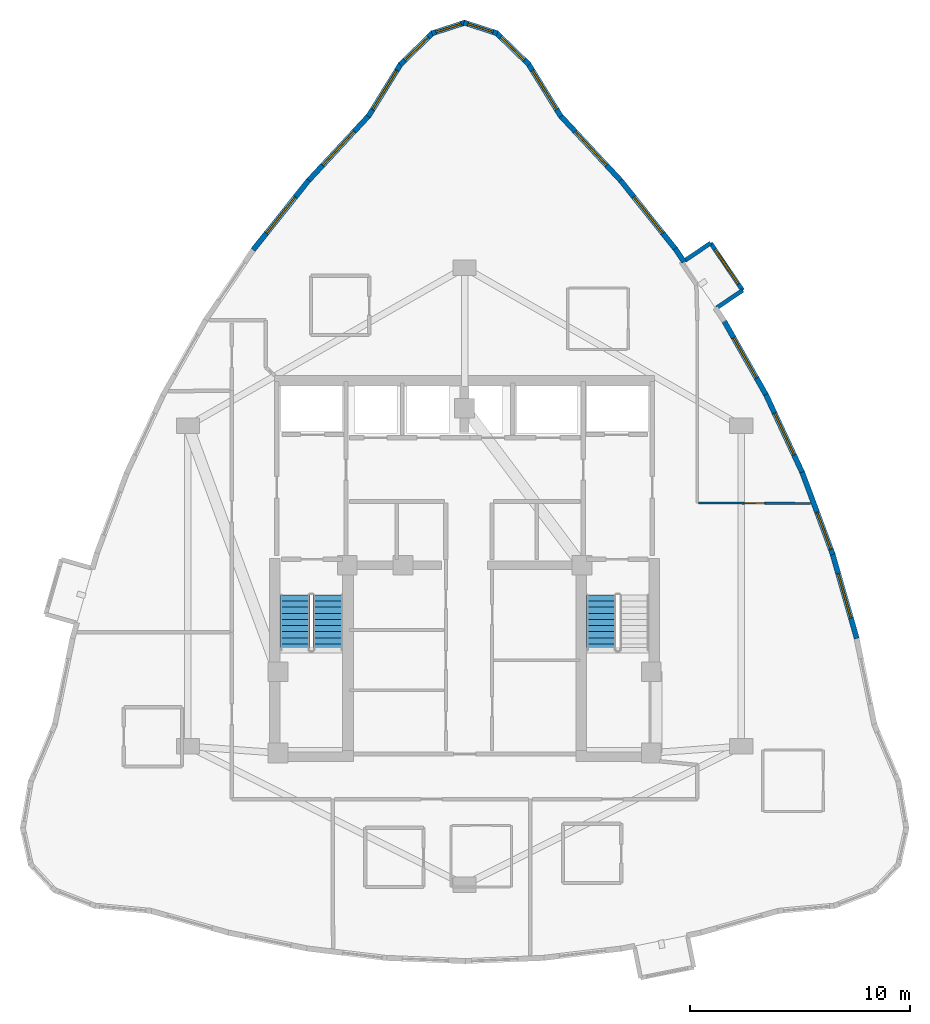
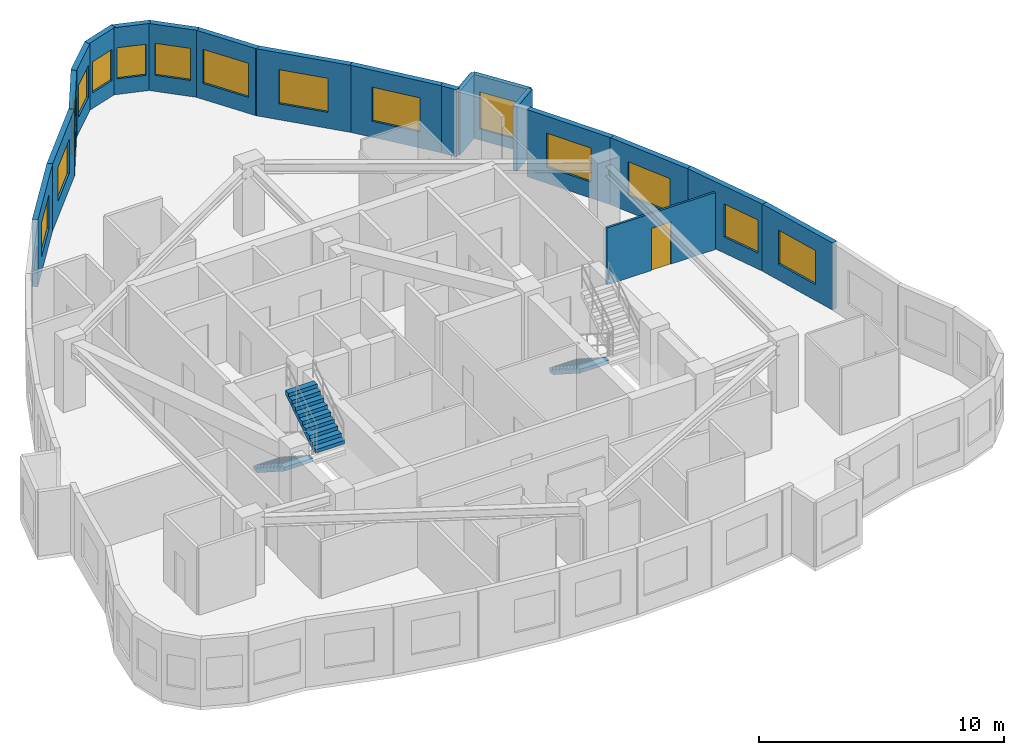
# One storey, part 7 of 9: 19 walls, 15 windows, 3 stair flights, 1 door, 16 openings, 2 elements without a shape of their own.
"""IFC4 building model written with IfcOpenShell, lengths in metres."""

from ifc_helpers import new_model, si_unit, direction, frame, frame_2d, origin, place, context, subcontext, project, spatial, polyline, rectangle, outline, extrude, material, layer, layer_set, type_object, element, fill, aggregate, save


model = new_model("IFC4")

# Units and contexts
model_context = context("Model", 3, precision=1e-05, world=origin(), true_north=direction((0.0, 1.0)))
body_context = subcontext(model_context, "Body", "Model", "MODEL_VIEW")
ifc_project = project(units=[si_unit("LENGTHUNIT", "METRE"), si_unit("AREAUNIT", "SQUARE_METRE"), si_unit("VOLUMEUNIT", "CUBIC_METRE"), si_unit("PLANEANGLEUNIT", "RADIAN"), si_unit("MASSUNIT", "GRAM", prefix="KILO")], contexts=[model_context])

# Site, building, storey
site_placement = place(None, origin())
site = spatial("IfcSite", under=ifc_project, at=site_placement, CompositionType="ELEMENT")
building_placement = place(site_placement, origin())
building = spatial("IfcBuilding", under=site, at=building_placement, Name="Miruveldt Soraemaru", CompositionType="ELEMENT")
storey_placement = place(building_placement, frame((0.0, 0.0, 194.39990234375)))
storey = spatial("IfcBuildingStorey", under=building, at=storey_placement, Name="L53", CompositionType="ELEMENT", Elevation=194.39990234375)

# Walls
ifc_material_1 = material(Name="White powder-coated aluminium EN AW-6060 T6", Category="aluminium")
ifc_layer_1 = layer(ifc_material_1, 0.18994140625, Name="White powder-coated aluminium EN AW-6060 T6", Category="aluminium")
ifc_layer_set_1 = layer_set([ifc_layer_1], Name="White powder-coated aluminium EN AW-6060 T6")
wall_type_1 = type_object("IfcWallType", Name="WALL-BAY-ALU190", PredefinedType="SOLIDWALL", material=ifc_layer_set_1)
for number, where, z_axis, x_axis, name in (
    (1, (55.48388671875, 55.76953125, 0.0), (0.0, 0.0, 1.0), (0.827916124573, 0.56085193293, 0.0), "L53 Bay Window Side Cheek 3L"),
    (2, (55.20556640625, 58.721435546875, 0.0), (0.0, 0.0, 1.0), (-0.827916124573, -0.56085193293, 0.0), "L53 Bay Window Side Cheek 3R"),
):
    element("IfcWall", number, at=place(storey_placement, frame(where, z_axis=z_axis, x_axis=x_axis)), inside=storey, type_object=wall_type_1, Name=name, PredefinedType="SOLIDWALL", context=body_context, shape_type="SweptSolid", body=[
        extrude(rectangle(XDim=1.42529296875, YDim=0.18994140625, at=frame_2d((0.712646484375, 0.0))), origin(), (0.0, 0.0, 1.0), 3.195068359375),
    ])

# Wall, opening, window
wall_1_placement = place(storey_placement, frame((56.663818359375, 56.56884765625, 0.0), z_axis=(0.0, 0.0, 1.0), x_axis=(-0.560860602504, 0.827910251512, 0.0)))
wall_1 = element("IfcWall", 3, at=wall_1_placement, inside=storey, type_object=wall_type_1, Name="L53 Bay Window Front Frame 3", PredefinedType="SOLIDWALL", context=body_context, shape_type="SweptSolid", body=[
    extrude(rectangle(XDim=2.60009765625, YDim=0.18994140625, at=frame_2d((1.300048828125, 0.0))), origin(), (0.0, 0.0, 1.0), 3.195068359375),
])
opening_1_placement = place(wall_1_placement, frame((0.35009765625, 0.0, 0.550048828125)))
opening_1 = element("IfcOpeningElement", 4, at=opening_1_placement, cuts=wall_1, Name="Opening WN-6", PredefinedType="OPENING", context=body_context, shape_type="SweptSolid", body=[
    extrude(rectangle(XDim=1.89990234375, YDim=1.85009765625, at=frame_2d((0.949951171875, 0.925048828125))), frame((0.0, 0.10498046875, 0.0), z_axis=(0.0, -1.0, 0.0), x_axis=(1.0, 0.0, 0.0)), (0.0, 0.0, 1.0), 0.2099609375),
])
ifc_material_2 = material(Name="Triple low-e insulated glazing", Category="glass")
window_type_1 = type_object("IfcWindowType", Name="WIN-BAYW-1900x1850", PartitioningType="SINGLE_PANEL", PredefinedType="WINDOW", material=ifc_material_2)
window_1_placement = place(opening_1_placement, origin())
window_1 = element("IfcWindow", 5, at=window_1_placement, inside=storey, type_object=window_type_1, Name="L53 Projecting Bay Window 3", OverallHeight=1.85009765625, OverallWidth=1.89990234375, PartitioningType="SINGLE_PANEL", PredefinedType="WINDOW", context=body_context, shape_type="SweptSolid", body=[
    extrude(rectangle(XDim=1.89990234375, YDim=1.85009765625, at=frame_2d((0.949951171875, 0.925048828125))), frame((0.0, 0.030029296875, 0.0), z_axis=(0.0, -1.0, 0.0), x_axis=(1.0, 0.0, 0.0)), (0.0, 0.0, 1.0), 0.06005859375),
])
fill(opening_1, window_1)

ifc_material_3 = material(Name="Precast concrete C45/55 (45 MPa)", Category="concrete")
ifc_layer_2 = layer(ifc_material_3, 0.239990234375, Name="Precast concrete C45/55 (45 MPa)", Category="concrete")
ifc_layer_set_2 = layer_set([ifc_layer_2], Name="Precast concrete C45/55 (45 MPa)")
wall_type_2 = type_object("IfcWallType", Name="WALL-EXT-PC240", PredefinedType="SOLIDWALL", material=ifc_layer_set_2)
wall_2_placement = place(storey_placement, frame((48.385986328125, 64.489501953125, 0.0), z_axis=(0.0, 0.0, 1.0), x_axis=(-0.526064296044, 0.850444799166, 0.0)))
wall_2 = element("IfcWall", 6, at=wall_2_placement, inside=storey, type_object=wall_type_2, Name="L53 Precast Concrete Facade Wall 1", PredefinedType="SOLIDWALL", context=body_context, shape_type="SweptSolid", body=[
    extrude(rectangle(XDim=2.83740234375, YDim=0.239990234375, at=frame_2d((1.418701171875, 0.0))), origin(), (0.0, 0.0, 1.0), 3.34521484375),
])
opening_2_placement = place(wall_2_placement, frame((0.368896484375, 0.0, 0.800048828125)))
opening_2 = element("IfcOpeningElement", 7, at=opening_2_placement, cuts=wall_2, Name="Opening WN-1", PredefinedType="OPENING", context=body_context, shape_type="SweptSolid", body=[
    extrude(rectangle(XDim=2.10009765625, YDim=1.699951171875, at=frame_2d((1.050048828125, 0.85009765625))), frame((0.0, 0.1298828125, 0.0), z_axis=(0.0, -1.0, 0.0), x_axis=(1.0, 0.0, 0.0)), (0.0, 0.0, 1.0), 0.260009765625),
])
window_type_2 = type_object("IfcWindowType", Name="WIN-PUNCH-2100x1700", PartitioningType="SINGLE_PANEL", PredefinedType="WINDOW", material=ifc_material_2)
window_2_placement = place(opening_2_placement, origin())
window_2 = element("IfcWindow", 8, at=window_2_placement, inside=storey, type_object=window_type_2, Name="L53 Punched Triple-Glazed Window 01.1", OverallHeight=1.699951171875, OverallWidth=2.10009765625, PartitioningType="SINGLE_PANEL", PredefinedType="WINDOW", context=body_context, shape_type="SweptSolid", body=[
    extrude(rectangle(XDim=2.10009765625, YDim=1.699951171875, at=frame_2d((1.050048828125, 0.85009765625))), frame((0.0, 0.030029296875, 0.0), z_axis=(0.0, -1.0, 0.0), x_axis=(1.0, 0.0, 0.0)), (0.0, 0.0, 1.0), 0.06005859375),
])
fill(opening_2, window_2)

wall_3_placement = place(storey_placement, frame((46.93701171875, 66.848388671875, 0.0), z_axis=(0.0, 0.0, 1.0), x_axis=(-0.717787609341, 0.696262125838, 0.0)))
wall_3 = element("IfcWall", 9, at=wall_3_placement, inside=storey, type_object=wall_type_2, Name="L53 Precast Concrete Facade Wall 2", PredefinedType="SOLIDWALL", context=body_context, shape_type="SweptSolid", body=[
    extrude(rectangle(XDim=2.09814453125, YDim=0.239990234375, at=frame_2d((1.049072265625, 0.0))), origin(), (0.0, 0.0, 1.0), 3.34521484375),
])
opening_3_placement = place(wall_3_placement, frame((0.299072265625, 0.0, 0.800048828125)))
opening_3 = element("IfcOpeningElement", 10, at=opening_3_placement, cuts=wall_3, Name="Opening WN-3", PredefinedType="OPENING", context=body_context, shape_type="SweptSolid", body=[
    extrude(rectangle(XDim=1.5, YDim=1.60009765625, at=frame_2d((0.75, 0.800048828125))), frame((0.0, 0.1298828125, 0.0), z_axis=(0.0, -1.0, 0.0), x_axis=(1.0, 0.0, 0.0)), (0.0, 0.0, 1.0), 0.260009765625),
])
window_type_3 = type_object("IfcWindowType", Name="WIN-PUNCH-1500x1600", PartitioningType="SINGLE_PANEL", PredefinedType="WINDOW", material=ifc_material_2)
window_3_placement = place(opening_3_placement, origin())
window_3 = element("IfcWindow", 11, at=window_3_placement, inside=storey, type_object=window_type_3, Name="L53 Punched Triple-Glazed Window 02.1", OverallHeight=1.60009765625, OverallWidth=1.5, PartitioningType="SINGLE_PANEL", PredefinedType="WINDOW", context=body_context, shape_type="SweptSolid", body=[
    extrude(rectangle(XDim=1.5, YDim=1.60009765625, at=frame_2d((0.75, 0.800048828125))), frame((0.0, 0.030029296875, 0.0), z_axis=(0.0, -1.0, 0.0), x_axis=(1.0, 0.0, 0.0)), (0.0, 0.0, 1.0), 0.06005859375),
])
fill(opening_3, window_3)

wall_4_placement = place(storey_placement, frame((45.4892578125, 68.274169921875, 0.0), z_axis=(0.0, 0.0, 1.0), x_axis=(-0.951512841193, 0.307609026274, 0.0)))
wall_4 = element("IfcWall", 12, at=wall_4_placement, inside=storey, type_object=wall_type_2, Name="L53 Precast Concrete Facade Wall 3", PredefinedType="SOLIDWALL", context=body_context, shape_type="SweptSolid", body=[
    extrude(rectangle(XDim=1.60009765625, YDim=0.239990234375, at=frame_2d((0.800048828125, 0.0))), origin(), (0.0, 0.0, 1.0), 3.34521484375),
])
opening_4_placement = place(wall_4_placement, frame((0.199951171875, 0.0, 0.780029296875)))
opening_4 = element("IfcOpeningElement", 13, at=opening_4_placement, cuts=wall_4, Name="Opening WN-4", PredefinedType="OPENING", context=body_context, shape_type="SweptSolid", body=[
    extrude(rectangle(XDim=1.199951171875, YDim=1.550048828125, at=frame_2d((0.60009765625, 0.77490234375))), frame((0.0, 0.1298828125, 0.0), z_axis=(0.0, -1.0, 0.0), x_axis=(1.0, 0.0, 0.0)), (0.0, 0.0, 1.0), 0.260009765625),
])
window_type_4 = type_object("IfcWindowType", Name="WIN-PUNCH-1200x1550", PartitioningType="SINGLE_PANEL", PredefinedType="WINDOW", material=ifc_material_2)
window_4_placement = place(opening_4_placement, origin())
window_4 = element("IfcWindow", 14, at=window_4_placement, inside=storey, type_object=window_type_4, Name="L53 Punched Triple-Glazed Window 03.1", OverallHeight=1.550048828125, OverallWidth=1.199951171875, PartitioningType="SINGLE_PANEL", PredefinedType="WINDOW", context=body_context, shape_type="SweptSolid", body=[
    extrude(rectangle(XDim=1.199951171875, YDim=1.550048828125, at=frame_2d((0.60009765625, 0.77490234375))), frame((0.0, 0.030029296875, 0.0), z_axis=(0.0, -1.0, 0.0), x_axis=(1.0, 0.0, 0.0)), (0.0, 0.0, 1.0), 0.06005859375),
])
fill(opening_4, window_4)

wall_5_placement = place(storey_placement, frame((44.033203125, 68.766357421875, 0.0), z_axis=(0.0, 0.0, 1.0), x_axis=(-0.951512841193, -0.307609026274, 0.0)))
wall_5 = element("IfcWall", 15, at=wall_5_placement, inside=storey, type_object=wall_type_2, Name="L53 Precast Concrete Facade Wall 4", PredefinedType="SOLIDWALL", context=body_context, shape_type="SweptSolid", body=[
    extrude(rectangle(XDim=1.60009765625, YDim=0.239990234375, at=frame_2d((0.800048828125, 0.0))), origin(), (0.0, 0.0, 1.0), 3.34521484375),
])
opening_5_placement = place(wall_5_placement, frame((0.199951171875, 0.0, 0.780029296875)))
opening_5 = element("IfcOpeningElement", 16, at=opening_5_placement, cuts=wall_5, Name="Opening WN-4", PredefinedType="OPENING", context=body_context, shape_type="SweptSolid", body=[
    extrude(rectangle(XDim=1.199951171875, YDim=1.550048828125, at=frame_2d((0.60009765625, 0.77490234375))), frame((0.0, 0.1298828125, 0.0), z_axis=(0.0, -1.0, 0.0), x_axis=(1.0, 0.0, 0.0)), (0.0, 0.0, 1.0), 0.260009765625),
])
window_5_placement = place(opening_5_placement, origin())
window_5 = element("IfcWindow", 17, at=window_5_placement, inside=storey, type_object=window_type_4, Name="L53 Punched Triple-Glazed Window 04.1", OverallHeight=1.550048828125, OverallWidth=1.199951171875, PartitioningType="SINGLE_PANEL", PredefinedType="WINDOW", context=body_context, shape_type="SweptSolid", body=[
    extrude(rectangle(XDim=1.199951171875, YDim=1.550048828125, at=frame_2d((0.60009765625, 0.77490234375))), frame((0.0, 0.030029296875, 0.0), z_axis=(0.0, -1.0, 0.0), x_axis=(1.0, 0.0, 0.0)), (0.0, 0.0, 1.0), 0.06005859375),
])
fill(opening_5, window_5)

wall_6_placement = place(storey_placement, frame((42.569091796875, 68.309326171875, 0.0), z_axis=(0.0, 0.0, 1.0), x_axis=(-0.717787609341, -0.696262125838, 0.0)))
wall_6 = element("IfcWall", 18, at=wall_6_placement, inside=storey, type_object=wall_type_2, Name="L53 Precast Concrete Facade Wall 5", PredefinedType="SOLIDWALL", context=body_context, shape_type="SweptSolid", body=[
    extrude(rectangle(XDim=2.09814453125, YDim=0.239990234375, at=frame_2d((1.049072265625, 0.0))), origin(), (0.0, 0.0, 1.0), 3.34521484375),
])
opening_6_placement = place(wall_6_placement, frame((0.299072265625, 0.0, 0.800048828125)))
opening_6 = element("IfcOpeningElement", 19, at=opening_6_placement, cuts=wall_6, Name="Opening WN-3", PredefinedType="OPENING", context=body_context, shape_type="SweptSolid", body=[
    extrude(rectangle(XDim=1.5, YDim=1.60009765625, at=frame_2d((0.75, 0.800048828125))), frame((0.0, 0.1298828125, 0.0), z_axis=(0.0, -1.0, 0.0), x_axis=(1.0, 0.0, 0.0)), (0.0, 0.0, 1.0), 0.260009765625),
])
window_6_placement = place(opening_6_placement, origin())
window_6 = element("IfcWindow", 20, at=window_6_placement, inside=storey, type_object=window_type_3, Name="L53 Punched Triple-Glazed Window 05.1", OverallHeight=1.60009765625, OverallWidth=1.5, PartitioningType="SINGLE_PANEL", PredefinedType="WINDOW", context=body_context, shape_type="SweptSolid", body=[
    extrude(rectangle(XDim=1.5, YDim=1.60009765625, at=frame_2d((0.75, 0.800048828125))), frame((0.0, 0.030029296875, 0.0), z_axis=(0.0, -1.0, 0.0), x_axis=(1.0, 0.0, 0.0)), (0.0, 0.0, 1.0), 0.06005859375),
])
fill(opening_6, window_6)

wall_7_placement = place(storey_placement, frame((41.106689453125, 66.902587890625, 0.0), z_axis=(0.0, 0.0, 1.0), x_axis=(-0.526064296044, -0.850444799166, 0.0)))
wall_7 = element("IfcWall", 21, at=wall_7_placement, inside=storey, type_object=wall_type_2, Name="L53 Precast Concrete Facade Wall 6", PredefinedType="SOLIDWALL", context=body_context, shape_type="SweptSolid", body=[
    extrude(rectangle(XDim=2.83740234375, YDim=0.239990234375, at=frame_2d((1.418701171875, 0.0))), origin(), (0.0, 0.0, 1.0), 3.34521484375),
])
opening_7_placement = place(wall_7_placement, frame((0.368896484375, 0.0, 0.800048828125)))
opening_7 = element("IfcOpeningElement", 22, at=opening_7_placement, cuts=wall_7, Name="Opening WN-1", PredefinedType="OPENING", context=body_context, shape_type="SweptSolid", body=[
    extrude(rectangle(XDim=2.10009765625, YDim=1.699951171875, at=frame_2d((1.050048828125, 0.85009765625))), frame((0.0, 0.1298828125, 0.0), z_axis=(0.0, -1.0, 0.0), x_axis=(1.0, 0.0, 0.0)), (0.0, 0.0, 1.0), 0.260009765625),
])
window_7_placement = place(opening_7_placement, origin())
window_7 = element("IfcWindow", 23, at=window_7_placement, inside=storey, type_object=window_type_2, Name="L53 Punched Triple-Glazed Window 06.1", OverallHeight=1.699951171875, OverallWidth=2.10009765625, PartitioningType="SINGLE_PANEL", PredefinedType="WINDOW", context=body_context, shape_type="SweptSolid", body=[
    extrude(rectangle(XDim=2.10009765625, YDim=1.699951171875, at=frame_2d((1.050048828125, 0.85009765625))), frame((0.0, 0.030029296875, 0.0), z_axis=(0.0, -1.0, 0.0), x_axis=(1.0, 0.0, 0.0)), (0.0, 0.0, 1.0), 0.06005859375),
])
fill(opening_7, window_7)

wall_8_placement = place(storey_placement, frame((39.656005859375, 64.544921875, 0.0), z_axis=(0.0, 0.0, 1.0), x_axis=(-0.680869055158, -0.732405167737, 0.0)))
wall_8 = element("IfcWall", 24, at=wall_8_placement, inside=storey, type_object=wall_type_2, Name="L53 Precast Concrete Facade Wall 7", PredefinedType="SOLIDWALL", context=body_context, shape_type="SweptSolid", body=[
    extrude(rectangle(XDim=4.121337890625, YDim=0.239990234375, at=frame_2d((2.060546875, 0.0))), origin(), (0.0, 0.0, 1.0), 3.34521484375),
])
opening_8_placement = place(wall_8_placement, frame((1.010009765625, 0.0, 0.800048828125)))
opening_8 = element("IfcOpeningElement", 25, at=opening_8_placement, cuts=wall_8, Name="Opening WN-1", PredefinedType="OPENING", context=body_context, shape_type="SweptSolid", body=[
    extrude(rectangle(XDim=2.10009765625, YDim=1.699951171875, at=frame_2d((1.050048828125, 0.85009765625))), frame((0.0, 0.1298828125, 0.0), z_axis=(0.0, -1.0, 0.0), x_axis=(1.0, 0.0, 0.0)), (0.0, 0.0, 1.0), 0.260009765625),
])
window_8_placement = place(opening_8_placement, origin())
window_8 = element("IfcWindow", 26, at=window_8_placement, inside=storey, type_object=window_type_2, Name="L53 Punched Triple-Glazed Window 07.1", OverallHeight=1.699951171875, OverallWidth=2.10009765625, PartitioningType="SINGLE_PANEL", PredefinedType="WINDOW", context=body_context, shape_type="SweptSolid", body=[
    extrude(rectangle(XDim=2.10009765625, YDim=1.699951171875, at=frame_2d((1.050048828125, 0.85009765625))), frame((0.0, 0.030029296875, 0.0), z_axis=(0.0, -1.0, 0.0), x_axis=(1.0, 0.0, 0.0)), (0.0, 0.0, 1.0), 0.06005859375),
])
fill(opening_8, window_8)

wall_9_placement = place(storey_placement, frame((36.8955078125, 61.579345703125, 0.0), z_axis=(0.0, 0.0, 1.0), x_axis=(-0.623583974873, -0.781756372716, 0.0)))
wall_9 = element("IfcWall", 27, at=wall_9_placement, inside=storey, type_object=wall_type_2, Name="L53 Precast Concrete Facade Wall 8", PredefinedType="SOLIDWALL", context=body_context, shape_type="SweptSolid", body=[
    extrude(rectangle(XDim=4.048583984375, YDim=0.239990234375, at=frame_2d((2.0244140625, 0.0))), origin(), (0.0, 0.0, 1.0), 3.34521484375),
])
opening_9_placement = place(wall_9_placement, frame((0.97509765625, 0.0, 0.800048828125)))
opening_9 = element("IfcOpeningElement", 28, at=opening_9_placement, cuts=wall_9, Name="Opening WN-1", PredefinedType="OPENING", context=body_context, shape_type="SweptSolid", body=[
    extrude(rectangle(XDim=2.10009765625, YDim=1.699951171875, at=frame_2d((1.050048828125, 0.85009765625))), frame((0.0, 0.1298828125, 0.0), z_axis=(0.0, -1.0, 0.0), x_axis=(1.0, 0.0, 0.0)), (0.0, 0.0, 1.0), 0.260009765625),
])
window_9_placement = place(opening_9_placement, origin())
window_9 = element("IfcWindow", 29, at=window_9_placement, inside=storey, type_object=window_type_2, Name="L53 Punched Triple-Glazed Window 08.1", OverallHeight=1.699951171875, OverallWidth=2.10009765625, PartitioningType="SINGLE_PANEL", PredefinedType="WINDOW", context=body_context, shape_type="SweptSolid", body=[
    extrude(rectangle(XDim=2.10009765625, YDim=1.699951171875, at=frame_2d((1.050048828125, 0.85009765625))), frame((0.0, 0.030029296875, 0.0), z_axis=(0.0, -1.0, 0.0), x_axis=(1.0, 0.0, 0.0)), (0.0, 0.0, 1.0), 0.06005859375),
])
fill(opening_9, window_9)

wall_10_placement = place(storey_placement, frame((61.861572265625, 40.71142578125, 0.0), z_axis=(0.0, 0.0, 1.0), x_axis=(-0.274960037026, 0.961455655784, 0.0)))
wall_10 = element("IfcWall", 30, at=wall_10_placement, inside=storey, type_object=wall_type_2, Name="L53 Precast Concrete Facade Wall 36", PredefinedType="SOLIDWALL", context=body_context, shape_type="SweptSolid", body=[
    extrude(rectangle(XDim=4.048828125, YDim=0.239990234375, at=frame_2d((2.0244140625, 0.0))), origin(), (0.0, 0.0, 1.0), 3.34521484375),
])
opening_10_placement = place(wall_10_placement, frame((0.97509765625, 0.0, 0.800048828125)))
opening_10 = element("IfcOpeningElement", 31, at=opening_10_placement, cuts=wall_10, Name="Opening WN-1", PredefinedType="OPENING", context=body_context, shape_type="SweptSolid", body=[
    extrude(rectangle(XDim=2.10009765625, YDim=1.699951171875, at=frame_2d((1.050048828125, 0.85009765625))), frame((0.0, 0.1298828125, 0.0), z_axis=(0.0, -1.0, 0.0), x_axis=(1.0, 0.0, 0.0)), (0.0, 0.0, 1.0), 0.260009765625),
])
window_10_placement = place(opening_10_placement, origin())
window_10 = element("IfcWindow", 32, at=window_10_placement, inside=storey, type_object=window_type_2, Name="L53 Punched Triple-Glazed Window 36.1", OverallHeight=1.699951171875, OverallWidth=2.10009765625, PartitioningType="SINGLE_PANEL", PredefinedType="WINDOW", context=body_context, shape_type="SweptSolid", body=[
    extrude(rectangle(XDim=2.10009765625, YDim=1.699951171875, at=frame_2d((1.050048828125, 0.85009765625))), frame((0.0, 0.030029296875, 0.0), z_axis=(0.0, -1.0, 0.0), x_axis=(1.0, 0.0, 0.0)), (0.0, 0.0, 1.0), 0.06005859375),
])
fill(opening_10, window_10)

wall_11_placement = place(storey_placement, frame((60.77001953125, 44.53759765625, 0.0), z_axis=(0.0, 0.0, 1.0), x_axis=(-0.348981843966, 0.937129485494, 0.0)))
wall_11 = element("IfcWall", 33, at=wall_11_placement, inside=storey, type_object=wall_type_2, Name="L53 Precast Concrete Facade Wall 37", PredefinedType="SOLIDWALL", context=body_context, shape_type="SweptSolid", body=[
    extrude(rectangle(XDim=3.99951171875, YDim=0.239990234375, at=frame_2d((1.999755859375, 0.0))), origin(), (0.0, 0.0, 1.0), 3.34521484375),
])
opening_11_placement = place(wall_11_placement, frame((0.2470703125, 0.0, 0.800048828125)))
opening_11 = element("IfcOpeningElement", 34, at=opening_11_placement, cuts=wall_11, Name="Opening WN-2", PredefinedType="OPENING", context=body_context, shape_type="SweptSolid", body=[
    extrude(rectangle(XDim=1.800048828125, YDim=1.64990234375, at=frame_2d((0.89990234375, 0.824951171875))), frame((0.0, 0.1298828125, 0.0), z_axis=(0.0, -1.0, 0.0), x_axis=(1.0, 0.0, 0.0)), (0.0, 0.0, 1.0), 0.260009765625),
])
window_type_5 = type_object("IfcWindowType", Name="WIN-PUNCH-1800x1650", PartitioningType="SINGLE_PANEL", PredefinedType="WINDOW", material=ifc_material_2)
window_11_placement = place(opening_11_placement, origin())
window_11 = element("IfcWindow", 35, at=window_11_placement, inside=storey, type_object=window_type_5, Name="L53 Punched Triple-Glazed Window 37.1", OverallHeight=1.64990234375, OverallWidth=1.800048828125, PartitioningType="SINGLE_PANEL", PredefinedType="WINDOW", context=body_context, shape_type="SweptSolid", body=[
    extrude(rectangle(XDim=1.800048828125, YDim=1.64990234375, at=frame_2d((0.89990234375, 0.824951171875))), frame((0.0, 0.030029296875, 0.0), z_axis=(0.0, -1.0, 0.0), x_axis=(1.0, 0.0, 0.0)), (0.0, 0.0, 1.0), 0.06005859375),
])
fill(opening_11, window_11)

wall_12_placement = place(storey_placement, frame((59.401123046875, 48.22119140625, 0.0), z_axis=(0.0, 0.0, 1.0), x_axis=(-0.422323780366, 0.906445047721, 0.0)))
wall_12 = element("IfcWall", 36, at=wall_12_placement, inside=storey, type_object=wall_type_2, Name="L53 Precast Concrete Facade Wall 38", PredefinedType="SOLIDWALL", context=body_context, shape_type="SweptSolid", body=[
    extrude(rectangle(XDim=3.974365234375, YDim=0.239990234375, at=frame_2d((1.9873046875, 0.0))), origin(), (0.0, 0.0, 1.0), 3.34521484375),
])
opening_12_placement = place(wall_12_placement, frame((0.93798828125, 0.0, 0.800048828125)))
opening_12 = element("IfcOpeningElement", 37, at=opening_12_placement, cuts=wall_12, Name="Opening WN-1", PredefinedType="OPENING", context=body_context, shape_type="SweptSolid", body=[
    extrude(rectangle(XDim=2.10009765625, YDim=1.699951171875, at=frame_2d((1.050048828125, 0.85009765625))), frame((0.0, 0.1298828125, 0.0), z_axis=(0.0, -1.0, 0.0), x_axis=(1.0, 0.0, 0.0)), (0.0, 0.0, 1.0), 0.260009765625),
])
window_12_placement = place(opening_12_placement, origin())
window_12 = element("IfcWindow", 38, at=window_12_placement, inside=storey, type_object=window_type_2, Name="L53 Punched Triple-Glazed Window 38.1", OverallHeight=1.699951171875, OverallWidth=2.10009765625, PartitioningType="SINGLE_PANEL", PredefinedType="WINDOW", context=body_context, shape_type="SweptSolid", body=[
    extrude(rectangle(XDim=2.10009765625, YDim=1.699951171875, at=frame_2d((1.050048828125, 0.85009765625))), frame((0.0, 0.030029296875, 0.0), z_axis=(0.0, -1.0, 0.0), x_axis=(1.0, 0.0, 0.0)), (0.0, 0.0, 1.0), 0.06005859375),
])
fill(opening_12, window_12)

wall_13_placement = place(storey_placement, frame((57.7548828125, 51.76171875, 0.0), z_axis=(0.0, 0.0, 1.0), x_axis=(-0.4933845008, 0.869811321132, 0.0)))
wall_13 = element("IfcWall", 39, at=wall_13_placement, inside=storey, type_object=wall_type_2, Name="L53 Precast Concrete Facade Wall 39", PredefinedType="SOLIDWALL", context=body_context, shape_type="SweptSolid", body=[
    extrude(rectangle(XDim=3.974365234375, YDim=0.239990234375, at=frame_2d((1.9873046875, 0.0))), origin(), (0.0, 0.0, 1.0), 3.34521484375),
])
opening_13_placement = place(wall_13_placement, frame((0.93798828125, 0.0, 0.800048828125)))
opening_13 = element("IfcOpeningElement", 40, at=opening_13_placement, cuts=wall_13, Name="Opening WN-1", PredefinedType="OPENING", context=body_context, shape_type="SweptSolid", body=[
    extrude(rectangle(XDim=2.10009765625, YDim=1.699951171875, at=frame_2d((1.050048828125, 0.85009765625))), frame((0.0, 0.1298828125, 0.0), z_axis=(0.0, -1.0, 0.0), x_axis=(1.0, 0.0, 0.0)), (0.0, 0.0, 1.0), 0.260009765625),
])
window_13_placement = place(opening_13_placement, origin())
window_13 = element("IfcWindow", 41, at=window_13_placement, inside=storey, type_object=window_type_2, Name="L53 Punched Triple-Glazed Window 39.1", OverallHeight=1.699951171875, OverallWidth=2.10009765625, PartitioningType="SINGLE_PANEL", PredefinedType="WINDOW", context=body_context, shape_type="SweptSolid", body=[
    extrude(rectangle(XDim=2.10009765625, YDim=1.699951171875, at=frame_2d((1.050048828125, 0.85009765625))), frame((0.0, 0.030029296875, 0.0), z_axis=(0.0, -1.0, 0.0), x_axis=(1.0, 0.0, 0.0)), (0.0, 0.0, 1.0), 0.06005859375),
])
fill(opening_13, window_13)

# Wall
wall_14_placement = place(storey_placement, frame((53.9970703125, 57.866455078125, 0.0), z_axis=(0.0, 0.0, 1.0), x_axis=(-0.56070758746, 0.828013889596, 0.0)))
element("IfcWall", 42, at=wall_14_placement, inside=storey, type_object=wall_type_2, Name="L53 Precast Pier Wall 40B", PredefinedType="SOLIDWALL", context=body_context, shape_type="SweptSolid", body=[
    extrude(rectangle(XDim=0.729736328125, YDim=0.239990234375, at=frame_2d((0.36474609375, 0.0))), origin(), (0.0, 0.0, 1.0), 3.34521484375),
])

# Wall, opening, window
wall_15_placement = place(storey_placement, frame((53.629150390625, 58.414306640625, 0.0), z_axis=(0.0, 0.0, 1.0), x_axis=(-0.623583974873, 0.781756372716, 0.0)))
wall_15 = element("IfcWall", 43, at=wall_15_placement, inside=storey, type_object=wall_type_2, Name="L53 Precast Concrete Facade Wall 41", PredefinedType="SOLIDWALL", context=body_context, shape_type="SweptSolid", body=[
    extrude(rectangle(XDim=4.048583984375, YDim=0.239990234375, at=frame_2d((2.0244140625, 0.0))), origin(), (0.0, 0.0, 1.0), 3.34521484375),
])
opening_14_placement = place(wall_15_placement, frame((0.97509765625, 0.0, 0.800048828125)))
opening_14 = element("IfcOpeningElement", 44, at=opening_14_placement, cuts=wall_15, Name="Opening WN-1", PredefinedType="OPENING", context=body_context, shape_type="SweptSolid", body=[
    extrude(rectangle(XDim=2.10009765625, YDim=1.699951171875, at=frame_2d((1.050048828125, 0.85009765625))), frame((0.0, 0.1298828125, 0.0), z_axis=(0.0, -1.0, 0.0), x_axis=(1.0, 0.0, 0.0)), (0.0, 0.0, 1.0), 0.260009765625),
])
window_14_placement = place(opening_14_placement, origin())
window_14 = element("IfcWindow", 45, at=window_14_placement, inside=storey, type_object=window_type_2, Name="L53 Punched Triple-Glazed Window 41.1", OverallHeight=1.699951171875, OverallWidth=2.10009765625, PartitioningType="SINGLE_PANEL", PredefinedType="WINDOW", context=body_context, shape_type="SweptSolid", body=[
    extrude(rectangle(XDim=2.10009765625, YDim=1.699951171875, at=frame_2d((1.050048828125, 0.85009765625))), frame((0.0, 0.030029296875, 0.0), z_axis=(0.0, -1.0, 0.0), x_axis=(1.0, 0.0, 0.0)), (0.0, 0.0, 1.0), 0.06005859375),
])
fill(opening_14, window_14)

wall_16_placement = place(storey_placement, frame((51.150146484375, 61.5263671875, 0.0), z_axis=(0.0, 0.0, 1.0), x_axis=(-0.680869055158, 0.732405167737, 0.0)))
wall_16 = element("IfcWall", 46, at=wall_16_placement, inside=storey, type_object=wall_type_2, Name="L53 Precast Concrete Facade Wall 42", PredefinedType="SOLIDWALL", context=body_context, shape_type="SweptSolid", body=[
    extrude(rectangle(XDim=4.121337890625, YDim=0.239990234375, at=frame_2d((2.060546875, 0.0))), origin(), (0.0, 0.0, 1.0), 3.34521484375),
])
opening_15_placement = place(wall_16_placement, frame((1.010009765625, 0.0, 0.800048828125)))
opening_15 = element("IfcOpeningElement", 47, at=opening_15_placement, cuts=wall_16, Name="Opening WN-1", PredefinedType="OPENING", context=body_context, shape_type="SweptSolid", body=[
    extrude(rectangle(XDim=2.10009765625, YDim=1.699951171875, at=frame_2d((1.050048828125, 0.85009765625))), frame((0.0, 0.1298828125, 0.0), z_axis=(0.0, -1.0, 0.0), x_axis=(1.0, 0.0, 0.0)), (0.0, 0.0, 1.0), 0.260009765625),
])
window_15_placement = place(opening_15_placement, origin())
window_15 = element("IfcWindow", 48, at=window_15_placement, inside=storey, type_object=window_type_2, Name="L53 Punched Triple-Glazed Window 42.1", OverallHeight=1.699951171875, OverallWidth=2.10009765625, PartitioningType="SINGLE_PANEL", PredefinedType="WINDOW", context=body_context, shape_type="SweptSolid", body=[
    extrude(rectangle(XDim=2.10009765625, YDim=1.699951171875, at=frame_2d((1.050048828125, 0.85009765625))), frame((0.0, 0.030029296875, 0.0), z_axis=(0.0, -1.0, 0.0), x_axis=(1.0, 0.0, 0.0)), (0.0, 0.0, 1.0), 0.06005859375),
])
fill(opening_15, window_15)

# Wall, opening, door
ifc_material_4 = material(Name="Gypsum plasterboard lining", Category="gypsum")
ifc_layer_3 = layer(ifc_material_4, 0.10009765625, Name="Gypsum plasterboard lining", Category="gypsum")
ifc_layer_set_3 = layer_set([ifc_layer_3], Name="Gypsum plasterboard lining")
wall_type_3 = type_object("IfcWallType", Name="WALL-INT-P100", PredefinedType="PARTITIONING", material=ifc_layer_set_3)
wall_17_placement = place(storey_placement, frame((59.760009765625, 46.864013671875, 0.0), z_axis=(0.0, 0.0, 1.0), x_axis=(-0.999993056559, 0.003726504152, 0.0)))
wall_17 = element("IfcWall", 49, at=wall_17_placement, inside=storey, type_object=wall_type_3, Name="L53 Partition Wall 44", PredefinedType="PARTITIONING", context=body_context, shape_type="SweptSolid", body=[
    extrude(rectangle(XDim=5.110107421875, YDim=0.10009765625, at=frame_2d((2.55517578125, 0.0))), origin(), (0.0, 0.0, 1.0), 2.84521484375),
])
opening_16_placement = place(wall_17_placement, frame((2.094970703125, 0.0, 0.0)))
opening_16 = element("IfcOpeningElement", 50, at=opening_16_placement, cuts=wall_17, Name="Opening D3A", PredefinedType="OPENING", context=body_context, shape_type="SweptSolid", body=[
    extrude(rectangle(XDim=0.919921875, YDim=2.10009765625, at=frame_2d((0.4599609375, 1.050048828125))), frame((0.0, 0.06005859375, 0.0), z_axis=(0.0, -1.0, 0.0), x_axis=(1.0, 0.0, 0.0)), (0.0, 0.0, 1.0), 0.1201171875),
])
ifc_material_5 = material(Name="Anodised aluminium EN AW-6063 T6", Category="aluminium")
door_type = type_object("IfcDoorType", Name="DOOR-INT-920", OperationType="NOTDEFINED", PredefinedType="DOOR", material=ifc_material_5)
door_placement = place(opening_16_placement, origin())
door = element("IfcDoor", 51, at=door_placement, inside=storey, type_object=door_type, Name="L53 Unit 5306 BD1 Door", OperationType="SINGLE_SWING_RIGHT", OverallHeight=2.10009765625, OverallWidth=0.919921875, PredefinedType="DOOR", context=body_context, shape_type="SweptSolid", body=[
    extrude(rectangle(XDim=0.919921875, YDim=2.10009765625, at=frame_2d((0.4599609375, 1.050048828125))), frame((0.0, 0.02490234375, 0.0), z_axis=(0.0, -1.0, 0.0), x_axis=(1.0, 0.0, 0.0)), (0.0, 0.0, 1.0), 0.050048828125),
])
fill(opening_16, door)

# Stair, stair flights
ifc_material_6 = material(Name="Concrete C40/50 (40 MPa)", Category="concrete")
stair_type = type_object("IfcStairType", Name="STAIR-DL-360", PredefinedType="HALF_TURN_STAIR", material=ifc_material_6)
stair_1_placement = place(storey_placement, origin())
stair_1 = element("IfcStair", 52, at=stair_1_placement, inside=storey, type_object=stair_type, Name="L53 Protected Exit Stair ST-1", PredefinedType="HALF_TURN_STAIR")
stair_flight_type = type_object("IfcStairFlightType", Name="SFL-DL-360", PredefinedType="STRAIGHT", material=ifc_material_6)
stair_flight_1_placement = place(storey_placement, frame((36.27490234375, 42.699951171875, 0.0), z_axis=(0.0, 0.0, 1.0), x_axis=(0.0, -1.0, 0.0)))
stair_flight_1 = element("IfcStairFlight", 53, at=stair_flight_1_placement, type_object=stair_flight_type, Name="ST-1 flight 1", NumberOfRisers=10, NumberOfTreads=9, PredefinedType="STRAIGHT", RiserHeight=0.18, TreadLength=0.28, context=body_context, shape_type="SweptSolid", body=[
    extrude(outline(polyline([(0.0, 0.0), (0.0, 0.179931640625), (0.280029296875, 0.179931640625), (0.280029296875, 0.360107421875), (0.56005859375, 0.360107421875), (0.56005859375, 0.5400390625), (0.840087890625, 0.5400390625), (0.840087890625, 0.719970703125), (1.1201171875, 0.719970703125), (1.1201171875, 0.89990234375), (1.39990234375, 0.89990234375), (1.39990234375, 1.080078125), (1.679931640625, 1.080078125), (1.679931640625, 1.260009765625), (1.9599609375, 1.260009765625), (1.9599609375, 1.43994140625), (2.239990234375, 1.43994140625), (2.239990234375, 1.6201171875), (2.52001953125, 1.6201171875), (2.52001953125, 1.800048828125), (2.52001953125, 1.429931640625), (0.295654296875, 0.0), (0.0, 0.0)])), frame((0.0, 0.675048828125, 0.0), z_axis=(0.0, -1.0, 0.0), x_axis=(1.0, 0.0, 0.0)), (0.0, 0.0, 1.0), 1.35009765625),
])
stair_flight_2_placement = place(storey_placement, frame((37.77490234375, 40.179931640625, 1.800048828125), z_axis=(0.0, 0.0, 1.0), x_axis=(0.0, 1.0, 0.0)))
stair_flight_2 = element("IfcStairFlight", 54, at=stair_flight_2_placement, type_object=stair_flight_type, Name="ST-1 flight 2", NumberOfRisers=10, NumberOfTreads=9, PredefinedType="STRAIGHT", RiserHeight=0.18, TreadLength=0.28, context=body_context, shape_type="SweptSolid", body=[
    extrude(outline(polyline([(0.0, 0.0), (0.0, 0.179931640625), (0.280029296875, 0.179931640625), (0.280029296875, 0.360107421875), (0.56005859375, 0.360107421875), (0.56005859375, 0.5400390625), (0.840087890625, 0.5400390625), (0.840087890625, 0.719970703125), (1.1201171875, 0.719970703125), (1.1201171875, 0.89990234375), (1.39990234375, 0.89990234375), (1.39990234375, 1.080078125), (1.679931640625, 1.080078125), (1.679931640625, 1.260009765625), (1.9599609375, 1.260009765625), (1.9599609375, 1.43994140625), (2.239990234375, 1.43994140625), (2.239990234375, 1.6201171875), (2.52001953125, 1.6201171875), (2.52001953125, 1.800048828125), (2.52001953125, 1.429931640625), (0.295654296875, 0.0), (0.0, 0.0)])), frame((0.0, 0.675048828125, 0.0), z_axis=(0.0, -1.0, 0.0), x_axis=(1.0, 0.0, 0.0)), (0.0, 0.0, 1.0), 1.35009765625),
])
aggregate(stair_1, [stair_flight_1, stair_flight_2])

# Stair, stair flight
stair_2_placement = place(storey_placement, origin())
stair_2 = element("IfcStair", 55, at=stair_2_placement, inside=storey, type_object=stair_type, Name="L53 Protected Exit Stair ST-2", PredefinedType="HALF_TURN_STAIR")
stair_flight_3_placement = place(storey_placement, frame((50.22509765625, 42.699951171875, 0.0), z_axis=(0.0, 0.0, 1.0), x_axis=(0.0, -1.0, 0.0)))
stair_flight_3 = element("IfcStairFlight", 56, at=stair_flight_3_placement, type_object=stair_flight_type, Name="ST-2 flight 1", NumberOfRisers=10, NumberOfTreads=9, PredefinedType="STRAIGHT", RiserHeight=0.18, TreadLength=0.28, context=body_context, shape_type="SweptSolid", body=[
    extrude(outline(polyline([(0.0, 0.0), (0.0, 0.179931640625), (0.280029296875, 0.179931640625), (0.280029296875, 0.360107421875), (0.56005859375, 0.360107421875), (0.56005859375, 0.5400390625), (0.840087890625, 0.5400390625), (0.840087890625, 0.719970703125), (1.1201171875, 0.719970703125), (1.1201171875, 0.89990234375), (1.39990234375, 0.89990234375), (1.39990234375, 1.080078125), (1.679931640625, 1.080078125), (1.679931640625, 1.260009765625), (1.9599609375, 1.260009765625), (1.9599609375, 1.43994140625), (2.239990234375, 1.43994140625), (2.239990234375, 1.6201171875), (2.52001953125, 1.6201171875), (2.52001953125, 1.800048828125), (2.52001953125, 1.429931640625), (0.295654296875, 0.0), (0.0, 0.0)])), frame((0.0, 0.675048828125, 0.0), z_axis=(0.0, -1.0, 0.0), x_axis=(1.0, 0.0, 0.0)), (0.0, 0.0, 1.0), 1.35009765625),
])
aggregate(stair_2, [stair_flight_3])

save(model, "model.ifc")
